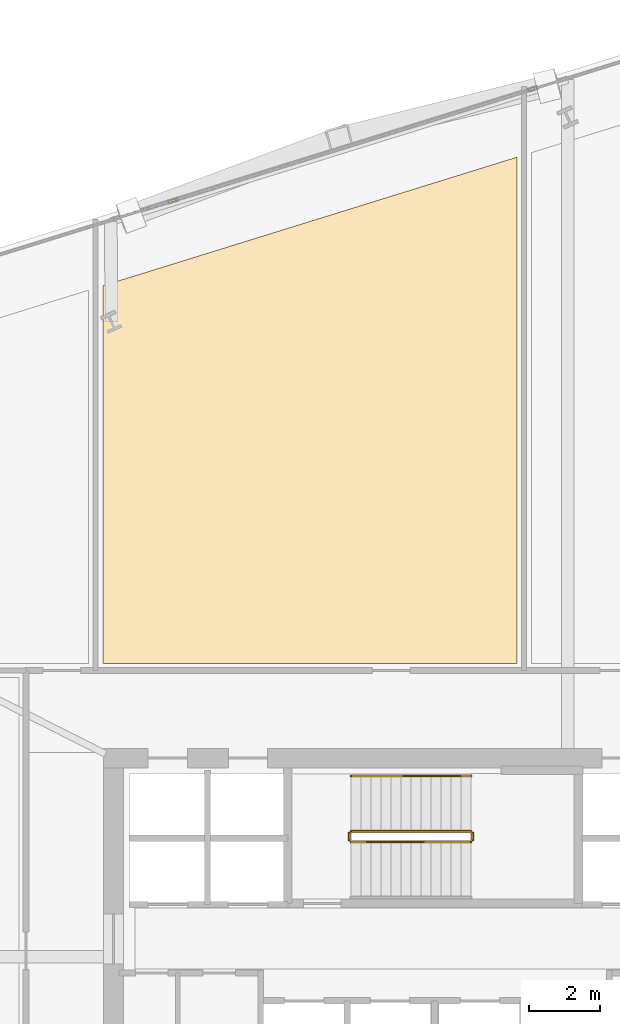
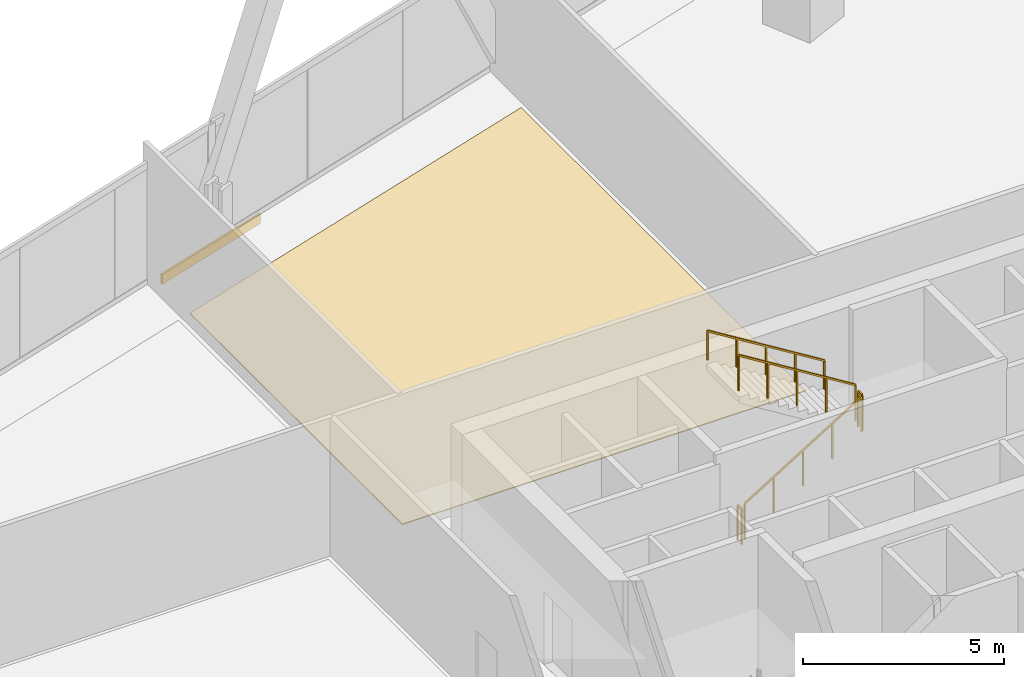
# One storey, part 25 of 26: 5 railings, 2 coverings.
"""IFC4 building model written with IfcOpenShell, lengths in metres."""

from ifc_helpers import new_model, si_unit, direction, frame, origin, origin_2d, place, context, subcontext, project, spatial, polyline, rectangle, outline, extrude, source, transform, mapped, material, layer, layer_set, type_object, element, save


model = new_model("IFC4")

# Units and contexts
model_context = context("Model", 3, precision=1e-05, world=origin(), true_north=direction((0.0, 1.0)))
body_context = subcontext(model_context, "Body", "Model", "MODEL_VIEW")
ifc_project = project(units=[si_unit("LENGTHUNIT", "METRE"), si_unit("AREAUNIT", "SQUARE_METRE"), si_unit("VOLUMEUNIT", "CUBIC_METRE"), si_unit("PLANEANGLEUNIT", "RADIAN"), si_unit("MASSUNIT", "GRAM", prefix="KILO")], contexts=[model_context])

# Site, building, storey
site_placement = place(None, origin())
site = spatial("IfcSite", under=ifc_project, at=site_placement, CompositionType="ELEMENT")
building_placement = place(site_placement, origin())
building = spatial("IfcBuilding", under=site, at=building_placement, Name="Haldenkirk Collegiate Tower", CompositionType="ELEMENT")
storey_placement = place(building_placement, frame((0.0, 0.0, 85.949951171875)))
storey = spatial("IfcBuildingStorey", under=building, at=storey_placement, Name="L20", CompositionType="ELEMENT", Elevation=85.949951171875)

# Covering
ifc_material_1 = material(Name="Polished collegiate terrazzo", Category="concrete")
ifc_layer_1 = layer(ifc_material_1, 0.02490234375)
ifc_layer_set_1 = layer_set([ifc_layer_1], Name="Polished collegiate terrazzo")
covering_type_1 = type_object("IfcCoveringType", Name="COV-FLOOR-TERRAZZO", PredefinedType="FLOORING", material=ifc_layer_set_1)
covering_1_placement = place(storey_placement, origin())
element("IfcCovering", 1, at=covering_1_placement, inside=storey, type_object=covering_type_1, Name="L20 academic room finish 06", PredefinedType="FLOORING", context=body_context, shape_type="SweptSolid", body=[
    extrude(outline(polyline([(38.300048828125, 50.828857421875), (38.300048828125, 36.64990234375), (26.699951171875, 36.64990234375), (26.699951171875, 47.226806640625), (38.300048828125, 50.828857421875)])), origin(), (0.0, 0.0, 1.0), 0.025146484375),
])

# Railings
ifc_material_2 = material(Name="Painted architectural tubular steel", Category="steel")
railing_type_1 = type_object("IfcRailingType", Name="RLG-STAIR-GUARD-1100", PredefinedType="BALUSTRADE", material=ifc_material_2)
railing_1_placement = place(storey_placement, frame((33.64990234375, 31.64990234375, 0.173095703125)))
element("IfcRailing", 2, at=railing_1_placement, inside=storey, type_object=railing_type_1, Name="L20 ST-3 stair guard 1", PredefinedType="BALUSTRADE", context=body_context, shape_type="SweptSolid", body=[
    extrude(rectangle(XDim=0.048095703125, YDim=0.048095703125, at=origin_2d()), frame((0.0, 0.0, 1.076171875), z_axis=(0.850623216509, 0.0, 0.525775754039), x_axis=(0.0, 1.0, 0.0)), (0.0, 0.0, 1.0), 3.9501953125),
    extrude(rectangle(XDim=0.0419921875, YDim=0.0419921875, at=origin_2d()), origin(), (0.0, 0.0, 1.0), 1.052001953125),
    extrude(rectangle(XDim=0.0419921875, YDim=0.0419921875, at=origin_2d()), frame((0.840087890625, 0.0, 0.519287109375)), (0.0, 0.0, 1.0), 1.052001953125),
    extrude(rectangle(XDim=0.0419921875, YDim=0.0419921875, at=origin_2d()), frame((1.68017578125, 0.0, 1.03857421875)), (0.0, 0.0, 1.0), 1.052001953125),
    extrude(rectangle(XDim=0.0419921875, YDim=0.0419921875, at=origin_2d()), frame((2.52001953125, 0.0, 1.5576171875)), (0.0, 0.0, 1.0), 1.052001953125),
    extrude(rectangle(XDim=0.0419921875, YDim=0.0419921875, at=origin_2d()), frame((3.360107421875, 0.0, 2.076904296875)), (0.0, 0.0, 1.0), 1.052001953125),
])
railing_2_placement = place(storey_placement, frame((37.06005859375, 31.699951171875, 2.25)))
element("IfcRailing", 3, at=railing_2_placement, inside=storey, type_object=railing_type_1, Name="L20 ST-3 stair guard 2", PredefinedType="BALUSTRADE", context=body_context, shape_type="SweptSolid", body=[
    extrude(rectangle(XDim=0.048095703125, YDim=0.048095703125, at=origin_2d()), frame((0.0, 0.0, 1.076171875), z_axis=(0.0, 1.0, 0.0), x_axis=(-1.0, 0.0, 0.0)), (0.0, 0.0, 1.0), 0.199951171875),
    extrude(rectangle(XDim=0.0419921875, YDim=0.0419921875, at=origin_2d()), origin(), (0.0, 0.0, 1.0), 1.052001953125),
    extrude(rectangle(XDim=0.0419921875, YDim=0.0419921875, at=origin_2d()), frame((0.0, 0.199951171875, 0.0)), (0.0, 0.0, 1.0), 1.052001953125),
])
railing_3_placement = place(storey_placement, frame((37.010009765625, 31.949951171875, 2.423095703125)))
element("IfcRailing", 4, at=railing_3_placement, inside=storey, type_object=railing_type_1, Name="L20 ST-3 stair guard 3", PredefinedType="BALUSTRADE", context=body_context, shape_type="SweptSolid", body=[
    extrude(rectangle(XDim=0.048095703125, YDim=0.048095703125, at=origin_2d()), frame((0.0, 0.0, 1.076171875), z_axis=(-0.850623216509, 0.0, 0.525775754039), x_axis=(0.0, -1.0, 0.0)), (0.0, 0.0, 1.0), 3.9501953125),
    extrude(rectangle(XDim=0.0419921875, YDim=0.0419921875, at=origin_2d()), origin(), (0.0, 0.0, 1.0), 1.052001953125),
    extrude(rectangle(XDim=0.0419921875, YDim=0.0419921875, at=origin_2d()), frame((-0.840087890625, 0.0, 0.519287109375)), (0.0, 0.0, 1.0), 1.052001953125),
    extrude(rectangle(XDim=0.0419921875, YDim=0.0419921875, at=origin_2d()), frame((-1.68017578125, 0.0, 1.03857421875)), (0.0, 0.0, 1.0), 1.052001953125),
    extrude(rectangle(XDim=0.0419921875, YDim=0.0419921875, at=origin_2d()), frame((-2.52001953125, 0.0, 1.5576171875)), (0.0, 0.0, 1.0), 1.052001953125),
    extrude(rectangle(XDim=0.0419921875, YDim=0.0419921875, at=origin_2d()), frame((-3.360107421875, 0.0, 2.076904296875)), (0.0, 0.0, 1.0), 1.052001953125),
])
railing_4_placement = place(storey_placement, frame((33.60009765625, 31.699951171875, 0.0)))
element("IfcRailing", 5, at=railing_4_placement, inside=storey, type_object=railing_type_1, Name="L20 ST-3 stair guard 4", PredefinedType="BALUSTRADE", context=body_context, shape_type="SweptSolid", body=[
    extrude(rectangle(XDim=0.048095703125, YDim=0.048095703125, at=origin_2d()), frame((0.0, 0.0, 1.076171875), z_axis=(0.0, 1.0, 0.0), x_axis=(-1.0, 0.0, 0.0)), (0.0, 0.0, 1.0), 0.199951171875),
    extrude(rectangle(XDim=0.0419921875, YDim=0.0419921875, at=origin_2d()), origin(), (0.0, 0.0, 1.0), 1.052001953125),
    extrude(rectangle(XDim=0.0419921875, YDim=0.0419921875, at=origin_2d()), frame((0.0, 0.199951171875, 0.0)), (0.0, 0.0, 1.0), 1.052001953125),
])
railing_type_2 = type_object("IfcRailingType", Name="RLG-STAIR-HANDRAIL-900", PredefinedType="HANDRAIL", material=ifc_material_2)
railing_5_placement = place(storey_placement, frame((37.010009765625, 33.5, 2.423095703125)))
element("IfcRailing", 6, at=railing_5_placement, inside=storey, type_object=railing_type_2, Name="L20 ST-3 stair handrail 2", PredefinedType="HANDRAIL", context=body_context, shape_type="SweptSolid", body=[
    extrude(rectangle(XDim=0.048095703125, YDim=0.048095703125, at=origin_2d()), frame((0.0, 0.0, 0.8759765625), z_axis=(-0.850623216509, 0.0, 0.525775754039), x_axis=(0.0, -1.0, 0.0)), (0.0, 0.0, 1.0), 3.9501953125),
    extrude(rectangle(XDim=0.0419921875, YDim=0.0419921875, at=origin_2d()), origin(), (0.0, 0.0, 1.0), 0.851806640625),
    extrude(rectangle(XDim=0.0419921875, YDim=0.0419921875, at=origin_2d()), frame((-0.840087890625, 0.0, 0.519287109375)), (0.0, 0.0, 1.0), 0.851806640625),
    extrude(rectangle(XDim=0.0419921875, YDim=0.0419921875, at=origin_2d()), frame((-1.68017578125, 0.0, 1.03857421875)), (0.0, 0.0, 1.0), 0.851806640625),
    extrude(rectangle(XDim=0.0419921875, YDim=0.0419921875, at=origin_2d()), frame((-2.52001953125, 0.0, 1.5576171875)), (0.0, 0.0, 1.0), 0.851806640625),
    extrude(rectangle(XDim=0.0419921875, YDim=0.0419921875, at=origin_2d()), frame((-3.360107421875, 0.0, 2.076904296875)), (0.0, 0.0, 1.0), 0.851806640625),
])

# Covering
ifc_material_3 = material(Name="Anodised architectural bronze aluminium", Category="aluminium")
ifc_layer_2 = layer(ifc_material_3, 0.06005859375)
ifc_layer_set_2 = layer_set([ifc_layer_2], Name="Anodised architectural bronze aluminium")
covering_type_2 = type_object("IfcCoveringType", Name="COV-CLAD-BRONZE-60", PredefinedType="CLADDING", material=ifc_layer_set_2)
shared_shape = source(origin(), body_context, "Body", "SweptSolid", [
    extrude(rectangle(XDim=3.60009765625, YDim=0.06005859375, at=origin_2d()), origin(), (0.0, 0.0, 1.0), 0.300048828125),
])
covering_2_placement = place(storey_placement, frame((28.669677734375, 49.608154296875, -0.2998046875), z_axis=(0.0, 0.0, 1.0), x_axis=(0.955019944457, 0.296541574976, 0.0)))
element("IfcCovering", 7, at=covering_2_placement, inside=storey, type_object=covering_type_2, Name="L20 architectural bronze spandrel cladding N", PredefinedType="CLADDING", context=body_context, shape_type="MappedRepresentation", body=[
    mapped(shared_shape, transform((0.0, 0.0, 0.0), x_axis=(1.0, 0.0, 0.0), y_axis=(0.0, 1.0, 0.0), z_axis=(0.0, 0.0, 1.0), scale=1.0)),
])

save(model, "model.ifc")
